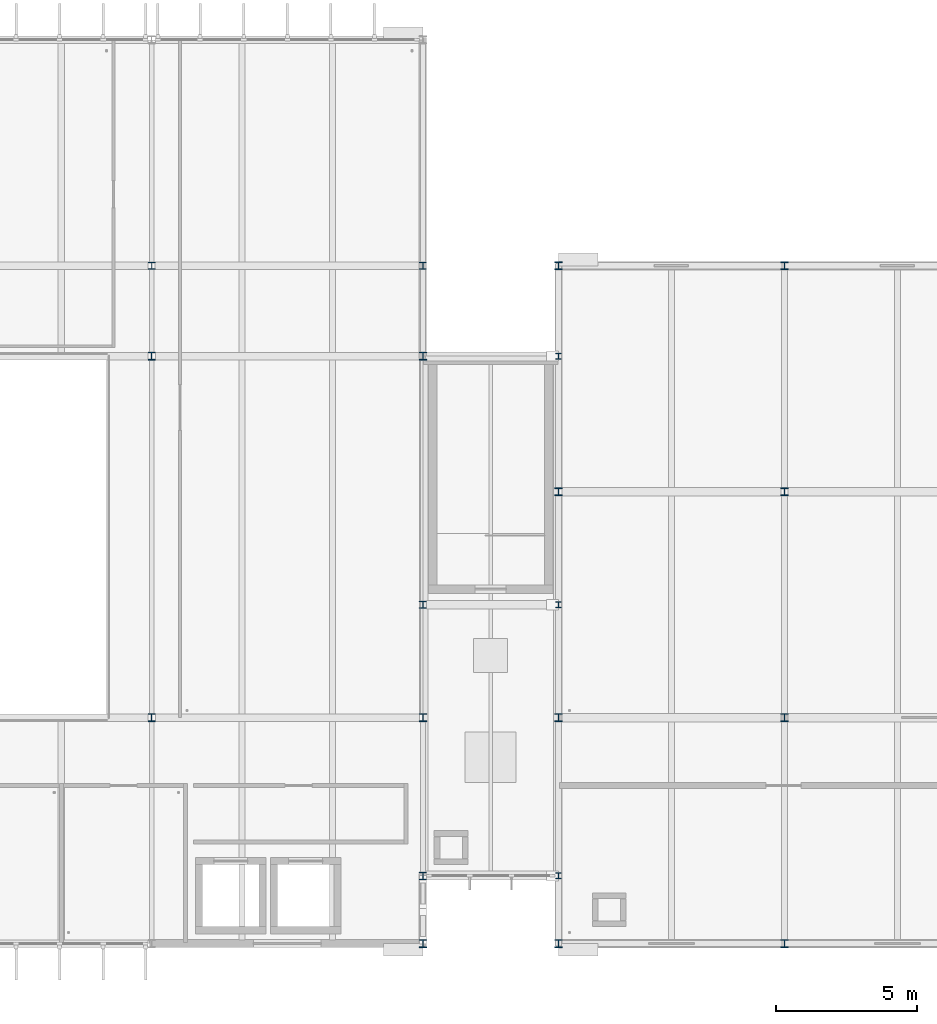
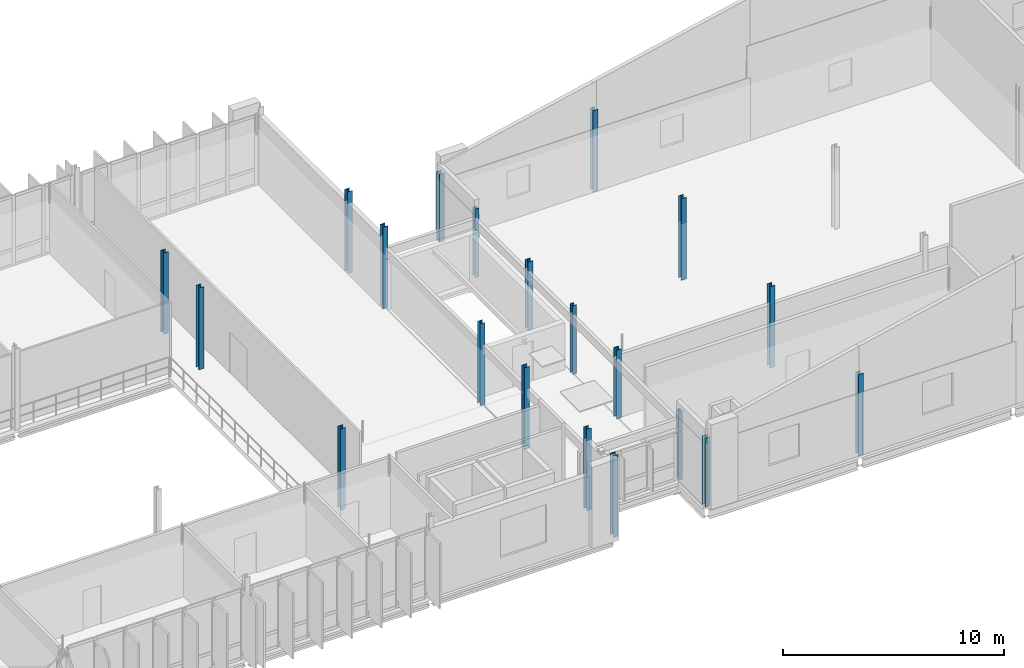
# One storey, part 5 of 59: 20 columns.
"""IFC4 building model written with IfcOpenShell, lengths in metres."""

from ifc_helpers import new_model, si_unit, direction, frame, origin, origin_2d, place, context, subcontext, project, spatial, i_section, extrude, material, material_profile, profile_set, type_object, element, save


model = new_model("IFC4")

# Units and contexts
model_context = context("Model", 3, precision=1e-05, world=origin(), true_north=direction((0.0, 1.0)))
body_context = subcontext(model_context, "Body", "Model", "MODEL_VIEW")
ifc_project = project(units=[si_unit("LENGTHUNIT", "METRE"), si_unit("AREAUNIT", "SQUARE_METRE"), si_unit("VOLUMEUNIT", "CUBIC_METRE"), si_unit("PLANEANGLEUNIT", "RADIAN"), si_unit("MASSUNIT", "GRAM", prefix="KILO")], contexts=[model_context])

# Site, building, storey
site_placement = place(None, origin())
site = spatial("IfcSite", under=ifc_project, at=site_placement, CompositionType="ELEMENT")
building_placement = place(site_placement, origin())
building = spatial("IfcBuilding", under=site, at=building_placement, Name="Dunescarp Central Library", CompositionType="ELEMENT")
storey_placement = place(building_placement, frame((0.0, 0.0, 18.60009765625)))
storey = spatial("IfcBuildingStorey", under=building, at=storey_placement, Name="L04", CompositionType="ELEMENT", Elevation=18.60009765625)

# Columns
ifc_material = material(Name="Steel S355JR", Category="steel")
ifc_material_profile_1 = material_profile(ifc_material, i_section(OverallWidth=0.206298828125, OverallDepth=0.2158203125, WebThickness=0.010009765625, FlangeThickness=0.017333984375, at=origin_2d()), Name="UC 203x203x71")
ifc_profile_set_1 = profile_set([ifc_material_profile_1], Name="Steel S355JR")
column_type_1 = type_object("IfcColumnType", Name="STR-COL-UC203X71", PredefinedType="COLUMN", material=ifc_profile_set_1)
for number, where, z_axis, x_axis, name in (
    (1, (81.60009765625, 7.199951171875, 0.0), (0.0, 0.0, 1.0), (1.0, 0.0, 0.0), "L04 column V3L-816-72"),
    (2, (81.60009765625, 16.800048828125, 0.0), (0.0, 0.0, 1.0), (1.0, 0.0, 0.0), "L04 column V3L-816-168"),
    (3, (81.60009765625, 25.60009765625, 0.0), (0.0, 0.0, 1.0), (1.0, 0.0, 0.0), "L04 column V3L-816-256"),
):
    element("IfcColumn", number, at=place(storey_placement, frame(where, z_axis=z_axis, x_axis=x_axis)), inside=storey, type_object=column_type_1, Name=name, PredefinedType="COLUMN", context=body_context, shape_type="SweptSolid", body=[
        extrude(i_section(OverallWidth=0.206298828125, OverallDepth=0.2158203125, WebThickness=0.010009765625, FlangeThickness=0.017333984375, at=origin_2d()), origin(), (0.0, 0.0, 1.0), 3.794921875),
    ])
ifc_material_profile_2 = material_profile(ifc_material, i_section(OverallWidth=0.26123046875, OverallDepth=0.2763671875, WebThickness=0.015380859375, FlangeThickness=0.025390625, at=origin_2d()), Name="UC 254x254x132")
ifc_profile_set_2 = profile_set([ifc_material_profile_2], Name="Steel S355JR")
column_type_2 = type_object("IfcColumnType", Name="STR-COL-UC254X132", PredefinedType="COLUMN", material=ifc_profile_set_2)
for number, where, z_axis, x_axis, name in (
    (4, (67.199951171875, 12.800048828125, 0.0), (0.0, 0.0, 1.0), (1.0, 0.0, 0.0), "L04 column V2-672-128"),
    (5, (67.199951171875, 25.60009765625, 0.0), (0.0, 0.0, 1.0), (1.0, 0.0, 0.0), "L04 column V2-672-256"),
    (6, (76.800048828125, 4.800048828125, 0.0), (0.0, 0.0, 1.0), (1.0, 0.0, 0.0), "L04 column V2-768-48"),
    (7, (76.800048828125, 12.800048828125, 0.0), (0.0, 0.0, 1.0), (1.0, 0.0, 0.0), "L04 column V2-768-128"),
    (8, (76.800048828125, 25.60009765625, 0.0), (0.0, 0.0, 1.0), (1.0, 0.0, 0.0), "L04 column V2-768-256"),
):
    element("IfcColumn", number, at=place(storey_placement, frame(where, z_axis=z_axis, x_axis=x_axis)), inside=storey, type_object=column_type_2, Name=name, PredefinedType="COLUMN", context=body_context, shape_type="SweptSolid", body=[
        extrude(i_section(OverallWidth=0.26123046875, OverallDepth=0.2763671875, WebThickness=0.015380859375, FlangeThickness=0.025390625, at=origin_2d()), origin(), (0.0, 0.0, 1.0), 4.5),
    ])
for number, where, z_axis, x_axis, name in (
    (9, (81.60009765625, 4.800048828125, 0.0), (0.0, 0.0, 1.0), (1.0, 0.0, 0.0), "L04 column V3-816-48"),
    (10, (81.60009765625, 12.800048828125, 0.0), (0.0, 0.0, 1.0), (1.0, 0.0, 0.0), "L04 column V3-816-128"),
    (11, (81.60009765625, 20.800048828125, 0.0), (0.0, 0.0, 1.0), (1.0, 0.0, 0.0), "L04 column V3-816-208"),
    (12, (81.60009765625, 28.800048828125, 0.0), (0.0, 0.0, 1.0), (1.0, 0.0, 0.0), "L04 column V3-816-288"),
):
    element("IfcColumn", number, at=place(storey_placement, frame(where, z_axis=z_axis, x_axis=x_axis)), inside=storey, type_object=column_type_2, Name=name, PredefinedType="COLUMN", context=body_context, shape_type="SweptSolid", body=[
        extrude(i_section(OverallWidth=0.26123046875, OverallDepth=0.2763671875, WebThickness=0.015380859375, FlangeThickness=0.025390625, at=origin_2d()), origin(), (0.0, 0.0, 1.0), 3.794921875),
    ])
for number, where, z_axis, x_axis, name in (
    (13, (89.60009765625, 4.800048828125, 0.0), (0.0, 0.0, 1.0), (1.0, 0.0, 0.0), "L04 column V3-896-48"),
    (14, (89.60009765625, 12.800048828125, 0.0), (0.0, 0.0, 1.0), (1.0, 0.0, 0.0), "L04 column V3-896-128"),
    (15, (89.60009765625, 20.800048828125, 0.0), (0.0, 0.0, 1.0), (1.0, 0.0, 0.0), "L04 column V3-896-208"),
    (16, (89.60009765625, 28.800048828125, 0.0), (0.0, 0.0, 1.0), (1.0, 0.0, 0.0), "L04 column V3-896-288"),
):
    element("IfcColumn", number, at=place(storey_placement, frame(where, z_axis=z_axis, x_axis=x_axis)), inside=storey, type_object=column_type_2, Name=name, PredefinedType="COLUMN", context=body_context, shape_type="SweptSolid", body=[
        extrude(i_section(OverallWidth=0.26123046875, OverallDepth=0.2763671875, WebThickness=0.015380859375, FlangeThickness=0.025390625, at=origin_2d()), origin(), (0.0, 0.0, 1.0), 4.5),
    ])
ifc_material_profile_3 = material_profile(ifc_material, i_section(OverallWidth=0.25634765625, OverallDepth=0.26025390625, WebThickness=0.01025390625, FlangeThickness=0.017333984375, at=origin_2d()), Name="UC 254x254x89")
ifc_profile_set_3 = profile_set([ifc_material_profile_3], Name="Steel S355JR")
column_type_3 = type_object("IfcColumnType", Name="STR-COL-UC254X89", PredefinedType="COLUMN", material=ifc_profile_set_3)
for number, where, z_axis, x_axis, name in (
    (17, (67.199951171875, 28.800048828125, 0.0), (0.0, 0.0, 1.0), (1.0, 0.0, 0.0), "L04 column V2N5-672"),
    (18, (76.800048828125, 28.800048828125, 0.0), (0.0, 0.0, 1.0), (1.0, 0.0, 0.0), "L04 column V2N5-768"),
    (19, (76.800048828125, 7.199951171875, 0.0), (0.0, 0.0, 1.0), (1.0, 0.0, 0.0), "L04 column V2L-768-72"),
    (20, (76.800048828125, 16.800048828125, 0.0), (0.0, 0.0, 1.0), (1.0, 0.0, 0.0), "L04 column V2L-768-168"),
):
    element("IfcColumn", number, at=place(storey_placement, frame(where, z_axis=z_axis, x_axis=x_axis)), inside=storey, type_object=column_type_3, Name=name, PredefinedType="COLUMN", context=body_context, shape_type="SweptSolid", body=[
        extrude(i_section(OverallWidth=0.25634765625, OverallDepth=0.26025390625, WebThickness=0.01025390625, FlangeThickness=0.017333984375, at=origin_2d()), origin(), (0.0, 0.0, 1.0), 4.5),
    ])

save(model, "model.ifc")
